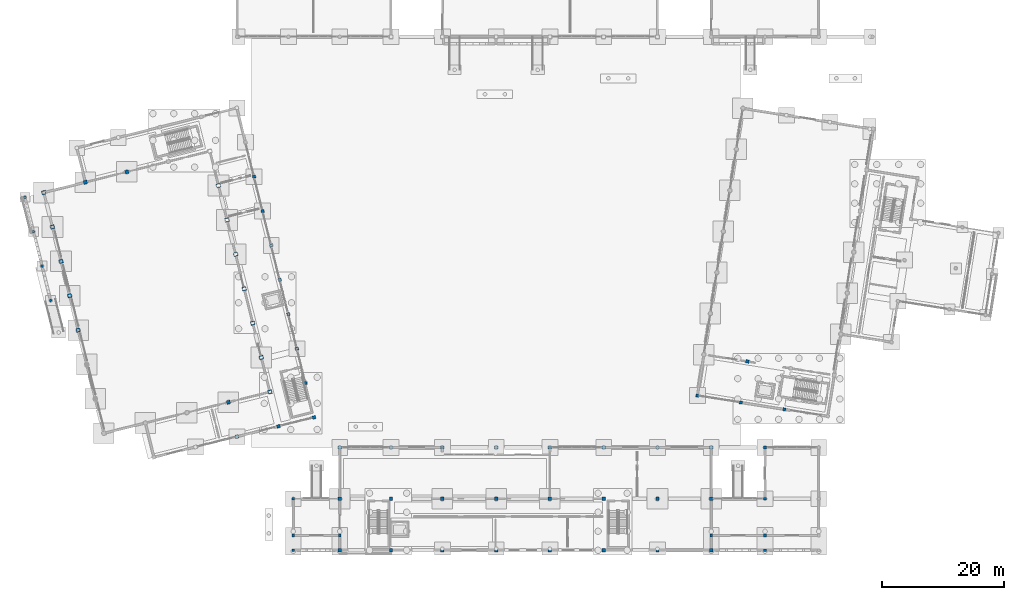
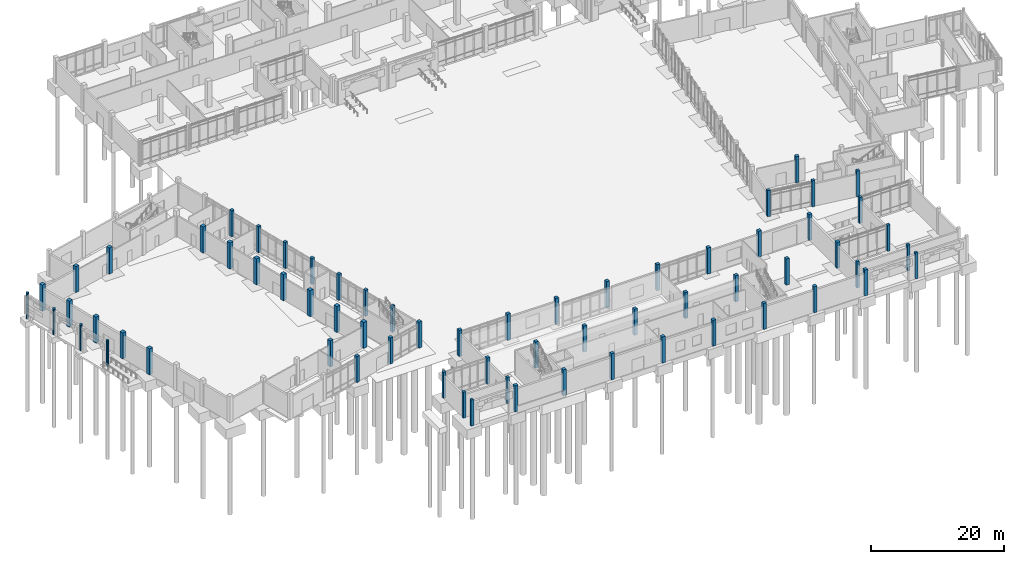
# One storey, part 5 of 72: 66 columns.
"""IFC4 building model written with IfcOpenShell, lengths in metres."""

from ifc_helpers import new_model, si_unit, direction, frame, origin, origin_2d, place, context, subcontext, project, spatial, rectangle, circle, extrude, material, material_profile, profile_set, type_object, element, save


model = new_model("IFC4")

# Units and contexts
model_context = context("Model", 3, precision=1e-05, world=origin(), true_north=direction((0.0, 1.0)))
body_context = subcontext(model_context, "Body", "Model", "MODEL_VIEW")
ifc_project = project(units=[si_unit("LENGTHUNIT", "METRE"), si_unit("AREAUNIT", "SQUARE_METRE"), si_unit("VOLUMEUNIT", "CUBIC_METRE"), si_unit("PLANEANGLEUNIT", "RADIAN"), si_unit("MASSUNIT", "GRAM", prefix="KILO")], contexts=[model_context])

# Site, building, storey
site_placement = place(None, origin())
site = spatial("IfcSite", under=ifc_project, at=site_placement, CompositionType="ELEMENT")
building_placement = place(site_placement, origin())
building = spatial("IfcBuilding", under=site, at=building_placement, Name="Cinderway Yard Community Centre", CompositionType="ELEMENT")
storey_placement = place(building_placement, origin())
storey = spatial("IfcBuildingStorey", under=building, at=storey_placement, Name="L00", CompositionType="ELEMENT", Elevation=0.0)

# Columns
ifc_material = material(Name="Concrete C40/50", Category="concrete")
ifc_material_profile_1 = material_profile(ifc_material, rectangle(XDim=0.449951171875, YDim=0.449951171875, at=origin_2d()), Name="Concrete C40/50")
ifc_profile_set_1 = profile_set([ifc_material_profile_1], Name="Concrete C40/50")
column_type_1 = type_object("IfcColumnType", Name="STR-COL-RC450", PredefinedType="COLUMN", material=ifc_profile_set_1)
for number, where, z_axis, x_axis, name in (
    (1, (50.800048828125, 6.0, 0.0), (0.0, 0.0, 1.0), (1.0, 0.0, 0.0), "Column V5-C-01 L00"),
    (2, (50.800048828125, 8.39990234375, 0.0), (0.0, 0.0, 1.0), (1.0, 0.0, 0.0), "Column V5-C-02 L00"),
    (3, (50.800048828125, 14.39990234375, 0.0), (0.0, 0.0, 1.0), (1.0, 0.0, 0.0), "Column V5-C-03 L00"),
    (4, (58.39990234375, 8.39990234375, 0.0), (0.0, 0.0, 1.0), (1.0, 0.0, 0.0), "Column V5-C-04 L00"),
    (5, (128.0, 6.0, 0.0), (0.0, 0.0, 1.0), (1.0, 0.0, 0.0), "Column V5-C-05 L00"),
    (6, (128.0, 8.39990234375, 0.0), (0.0, 0.0, 1.0), (1.0, 0.0, 0.0), "Column V5-C-06 L00"),
    (7, (128.0, 14.39990234375, 0.0), (0.0, 0.0, 1.0), (1.0, 0.0, 0.0), "Column V5-C-07 L00"),
    (8, (128.0, 22.800048828125, 0.0), (0.0, 0.0, 1.0), (1.0, 0.0, 0.0), "Column V5-C-08 L00"),
    (9, (119.199951171875, 8.39990234375, 0.0), (0.0, 0.0, 1.0), (1.0, 0.0, 0.0), "Column V5-C-13 L00"),
):
    element("IfcColumn", number, at=place(storey_placement, frame(where, z_axis=z_axis, x_axis=x_axis)), inside=storey, type_object=column_type_1, Name=name, PredefinedType="COLUMN", context=body_context, shape_type="SweptSolid", body=[
        extrude(rectangle(XDim=0.449951171875, YDim=0.449951171875, at=origin_2d()), origin(), (0.0, 0.0, 1.0), 4.800048828125),
    ])
ifc_material_profile_2 = material_profile(ifc_material, rectangle(XDim=0.5, YDim=0.5, at=origin_2d()), Name="Concrete C40/50")
ifc_profile_set_2 = profile_set([ifc_material_profile_2], Name="Concrete C40/50")
column_type_2 = type_object("IfcColumnType", Name="STR-COL-RC500", PredefinedType="COLUMN", material=ifc_profile_set_2)
for number, where, z_axis, x_axis, name in (
    (10, (52.799072265625, 33.342041015625, 0.0), (0.0, 0.0, 1.0), (0.970295726276, 0.2419218956, 0.0), "Column V1-C-G01 L00"),
    (11, (51.39599609375, 38.969970703125, 0.0), (0.0, 0.0, 1.0), (0.970295726276, 0.2419218956, 0.0), "Column V1-C-G02 L00"),
    (12, (49.992919921875, 44.597900390625, 0.0), (0.0, 0.0, 1.0), (0.970295726276, 0.2419218956, 0.0), "Column V1-C-G03 L00"),
    (13, (48.590087890625, 50.22509765625, 0.0), (0.0, 0.0, 1.0), (0.970295726276, 0.2419218956, 0.0), "Column V1-C-G04 L00"),
    (14, (47.18701171875, 55.85302734375, 0.0), (0.0, 0.0, 1.0), (0.970295726276, 0.2419218956, 0.0), "Column V1-C-G05 L00"),
    (15, (45.783935546875, 61.48095703125, 0.0), (0.0, 0.0, 1.0), (0.970295726276, 0.2419218956, 0.0), "Column V1-C-G06 L00"),
    (16, (44.381103515625, 67.10791015625, 0.0), (0.0, 0.0, 1.0), (0.970295726276, 0.2419218956, 0.0), "Column V1-C-G07 L00"),
    (17, (116.93603515625, 31.283935546875, 0.0), (0.0, 0.0, 1.0), (0.987688340595, -0.15643446504, 0.0), "Column V2-CS-000 L00"),
    (18, (124.048095703125, 30.156982421875, 0.0), (0.0, 0.0, 1.0), (0.987688340595, -0.15643446504, 0.0), "Column V2-CS-072 L00"),
    (19, (131.158935546875, 29.031005859375, 0.0), (0.0, 0.0, 1.0), (0.987688340595, -0.15643446504, 0.0), "Column V2-CS-144 L00"),
):
    element("IfcColumn", number, at=place(storey_placement, frame(where, z_axis=z_axis, x_axis=x_axis)), inside=storey, type_object=column_type_2, Name=name, PredefinedType="COLUMN", context=body_context, shape_type="SweptSolid", body=[
        extrude(rectangle(XDim=0.5, YDim=0.5, at=origin_2d()), origin(), (0.0, 0.0, 1.0), 4.800048828125),
    ])
ifc_material_profile_3 = material_profile(ifc_material, rectangle(XDim=0.550048828125, YDim=0.550048828125, at=origin_2d()), Name="Concrete C40/50")
ifc_profile_set_3 = profile_set([ifc_material_profile_3], Name="Concrete C40/50")
column_type_3 = type_object("IfcColumnType", Name="STR-COL-RC550", PredefinedType="COLUMN", material=ifc_profile_set_3)
for number, where, z_axis, x_axis, name in (
    (20, (41.589111328125, 24.569091796875, 0.0), (0.0, 0.0, 1.0), (0.970295726276, 0.2419218956, 0.0), "Column V1-CS-21 L00"),
    (21, (48.381103515625, 26.262939453125, 0.0), (0.0, 0.0, 1.0), (0.970295726276, 0.2419218956, 0.0), "Column V1-CS-28 L00"),
    (22, (54.202880859375, 27.714111328125, 0.0), (0.0, 0.0, 1.0), (0.970295726276, 0.2419218956, 0.0), "Column V1-CS-34 L00"),
    (23, (125.111083984375, 36.8740234375, 0.0), (0.0, 0.0, 1.0), (0.987688340595, -0.15643446504, 0.0), "Column V2-GS-072 L00"),
    (24, (58.39990234375, 6.0, 0.0), (0.0, 0.0, 1.0), (1.0, 0.0, 0.0), "Column V3-C-01-1 L00"),
    (25, (58.39990234375, 14.39990234375, 0.0), (0.0, 0.0, 1.0), (1.0, 0.0, 0.0), "Column V3-C-01-2 L00"),
    (26, (58.39990234375, 22.800048828125, 0.0), (0.0, 0.0, 1.0), (1.0, 0.0, 0.0), "Column V3-C-01-3 L00"),
    (27, (66.800048828125, 6.0, 0.0), (0.0, 0.0, 1.0), (1.0, 0.0, 0.0), "Column V3-C-02-1 L00"),
    (28, (66.800048828125, 14.39990234375, 0.0), (0.0, 0.0, 1.0), (1.0, 0.0, 0.0), "Column V3-C-02-2 L00"),
    (29, (66.800048828125, 22.800048828125, 0.0), (0.0, 0.0, 1.0), (1.0, 0.0, 0.0), "Column V3-C-02-3 L00"),
    (30, (75.199951171875, 6.0, 0.0), (0.0, 0.0, 1.0), (1.0, 0.0, 0.0), "Column V3-C-03-1 L00"),
    (31, (75.199951171875, 14.39990234375, 0.0), (0.0, 0.0, 1.0), (1.0, 0.0, 0.0), "Column V3-C-03-2 L00"),
    (32, (75.199951171875, 22.800048828125, 0.0), (0.0, 0.0, 1.0), (1.0, 0.0, 0.0), "Column V3-C-03-3 L00"),
    (33, (84.0, 6.0, 0.0), (0.0, 0.0, 1.0), (1.0, 0.0, 0.0), "Column V3-C-04-1 L00"),
    (34, (84.0, 14.39990234375, 0.0), (0.0, 0.0, 1.0), (1.0, 0.0, 0.0), "Column V3-C-04-2 L00"),
    (35, (84.0, 22.800048828125, 0.0), (0.0, 0.0, 1.0), (1.0, 0.0, 0.0), "Column V3-C-04-3 L00"),
    (36, (92.800048828125, 6.0, 0.0), (0.0, 0.0, 1.0), (1.0, 0.0, 0.0), "Column V3-C-05-1 L00"),
    (37, (92.800048828125, 14.39990234375, 0.0), (0.0, 0.0, 1.0), (1.0, 0.0, 0.0), "Column V3-C-05-2 L00"),
    (38, (92.800048828125, 22.800048828125, 0.0), (0.0, 0.0, 1.0), (1.0, 0.0, 0.0), "Column V3-C-05-3 L00"),
    (39, (101.60009765625, 6.0, 0.0), (0.0, 0.0, 1.0), (1.0, 0.0, 0.0), "Column V3-C-06-1 L00"),
    (40, (101.60009765625, 14.39990234375, 0.0), (0.0, 0.0, 1.0), (1.0, 0.0, 0.0), "Column V3-C-06-2 L00"),
    (41, (101.60009765625, 22.800048828125, 0.0), (0.0, 0.0, 1.0), (1.0, 0.0, 0.0), "Column V3-C-06-3 L00"),
    (42, (110.39990234375, 6.0, 0.0), (0.0, 0.0, 1.0), (1.0, 0.0, 0.0), "Column V3-C-07-1 L00"),
    (43, (110.39990234375, 14.39990234375, 0.0), (0.0, 0.0, 1.0), (1.0, 0.0, 0.0), "Column V3-C-07-2 L00"),
    (44, (110.39990234375, 22.800048828125, 0.0), (0.0, 0.0, 1.0), (1.0, 0.0, 0.0), "Column V3-C-07-3 L00"),
    (45, (119.199951171875, 6.0, 0.0), (0.0, 0.0, 1.0), (1.0, 0.0, 0.0), "Column V3-C-08-1 L00"),
    (46, (119.199951171875, 14.39990234375, 0.0), (0.0, 0.0, 1.0), (1.0, 0.0, 0.0), "Column V3-C-08-2 L00"),
    (47, (119.199951171875, 22.800048828125, 0.0), (0.0, 0.0, 1.0), (1.0, 0.0, 0.0), "Column V3-C-08-3 L00"),
):
    element("IfcColumn", number, at=place(storey_placement, frame(where, z_axis=z_axis, x_axis=x_axis)), inside=storey, type_object=column_type_3, Name=name, PredefinedType="COLUMN", context=body_context, shape_type="SweptSolid", body=[
        extrude(rectangle(XDim=0.550048828125, YDim=0.550048828125, at=origin_2d()), origin(), (0.0, 0.0, 1.0), 4.800048828125),
    ])
ifc_material_profile_4 = material_profile(ifc_material, rectangle(XDim=0.60009765625, YDim=0.60009765625, at=origin_2d()), Name="Concrete C40/50")
ifc_profile_set_4 = profile_set([ifc_material_profile_4], Name="Concrete C40/50")
column_type_4 = type_object("IfcColumnType", Name="STR-COL-RC600", PredefinedType="COLUMN", material=ifc_profile_set_4)
for number, where, z_axis, x_axis, name in (
    (48, (40.18603515625, 30.197021484375, 0.0), (0.0, 0.0, 1.0), (0.970295726276, 0.2419218956, 0.0), "Column V1-GS-21 L00"),
    (49, (16.779052734375, 66.2041015625, 0.0), (0.0, 0.0, 1.0), (0.970295726276, 0.2419218956, 0.0), "Column V1-GN-07 L00"),
    (50, (23.572021484375, 67.89794921875, 0.0), (0.0, 0.0, 1.0), (0.970295726276, 0.2419218956, 0.0), "Column V1-GN-14 L00"),
):
    element("IfcColumn", number, at=place(storey_placement, frame(where, z_axis=z_axis, x_axis=x_axis)), inside=storey, type_object=column_type_4, Name=name, PredefinedType="COLUMN", context=body_context, shape_type="SweptSolid", body=[
        extrude(rectangle(XDim=0.60009765625, YDim=0.60009765625, at=origin_2d()), origin(), (0.0, 0.0, 1.0), 4.800048828125),
    ])
ifc_material_profile_5 = material_profile(ifc_material, rectangle(XDim=0.64990234375, YDim=0.64990234375, at=origin_2d()), Name="Concrete C40/50")
ifc_profile_set_5 = profile_set([ifc_material_profile_5], Name="Concrete C40/50")
column_type_5 = type_object("IfcColumnType", Name="STR-COL-RC650", PredefinedType="COLUMN", material=ifc_profile_set_5)
for number, where, z_axis, x_axis, name in (
    (51, (15.60009765625, 42.0, 0.0), (0.0, 0.0, 1.0), (0.970295726276, 0.2419218956, 0.0), "Column V1-C-W04 L00"),
    (52, (14.197021484375, 47.6279296875, 0.0), (0.0, 0.0, 1.0), (0.970295726276, 0.2419218956, 0.0), "Column V1-C-W05 L00"),
    (53, (12.7939453125, 53.2548828125, 0.0), (0.0, 0.0, 1.0), (0.970295726276, 0.2419218956, 0.0), "Column V1-C-W06 L00"),
    (54, (11.39111328125, 58.883056640625, 0.0), (0.0, 0.0, 1.0), (0.970295726276, 0.2419218956, 0.0), "Column V1-C-W07 L00"),
    (55, (9.987060546875, 64.510986328125, 0.0), (0.0, 0.0, 1.0), (0.970295726276, 0.2419218956, 0.0), "Column V1-C-W08 L00"),
    (56, (46.97802734375, 31.89111328125, 0.0), (0.0, 0.0, 1.0), (0.970295726276, 0.2419218956, 0.0), "Column V1-C-E01 L00"),
    (57, (45.574951171875, 37.51806640625, 0.0), (0.0, 0.0, 1.0), (0.970295726276, 0.2419218956, 0.0), "Column V1-C-E02 L00"),
    (58, (44.1708984375, 43.14599609375, 0.0), (0.0, 0.0, 1.0), (0.970295726276, 0.2419218956, 0.0), "Column V1-C-E03 L00"),
    (59, (42.76806640625, 48.77392578125, 0.0), (0.0, 0.0, 1.0), (0.970295726276, 0.2419218956, 0.0), "Column V1-C-E04 L00"),
    (60, (41.364990234375, 54.402099609375, 0.0), (0.0, 0.0, 1.0), (0.970295726276, 0.2419218956, 0.0), "Column V1-C-E05 L00"),
    (61, (39.9619140625, 60.029052734375, 0.0), (0.0, 0.0, 1.0), (0.970295726276, 0.2419218956, 0.0), "Column V1-C-E06 L00"),
    (62, (38.55908203125, 65.656982421875, 0.0), (0.0, 0.0, 1.0), (0.970295726276, 0.2419218956, 0.0), "Column V1-C-E07 L00"),
):
    element("IfcColumn", number, at=place(storey_placement, frame(where, z_axis=z_axis, x_axis=x_axis)), inside=storey, type_object=column_type_5, Name=name, PredefinedType="COLUMN", context=body_context, shape_type="SweptSolid", body=[
        extrude(rectangle(XDim=0.64990234375, YDim=0.64990234375, at=origin_2d()), origin(), (0.0, 0.0, 1.0), 4.800048828125),
    ])
ifc_material_profile_6 = material_profile(ifc_material, circle(Radius=0.22509765625, at=origin_2d()), Name="Concrete C40/50")
ifc_profile_set_6 = profile_set([ifc_material_profile_6], Name="Concrete C40/50")
column_type_6 = type_object("IfcColumnType", Name="STR-COL-RCD450", PredefinedType="PILASTER", material=ifc_profile_set_6)
for number, where, z_axis, x_axis, name in (
    (63, (11.092041015625, 46.85400390625, 0.0), (0.0, 0.0, 1.0), (1.0, 0.0, 0.0), "Column V5-C-14 L00"),
    (64, (9.68896484375, 52.48095703125, 0.0), (0.0, 0.0, 1.0), (1.0, 0.0, 0.0), "Column V5-C-15 L00"),
    (65, (8.285888671875, 58.10888671875, 0.0), (0.0, 0.0, 1.0), (1.0, 0.0, 0.0), "Column V5-C-16 L00"),
    (66, (6.882080078125, 63.737060546875, 0.0), (0.0, 0.0, 1.0), (1.0, 0.0, 0.0), "Column V5-C-17 L00"),
):
    element("IfcColumn", number, at=place(storey_placement, frame(where, z_axis=z_axis, x_axis=x_axis)), inside=storey, type_object=column_type_6, Name=name, PredefinedType="PILASTER", context=body_context, shape_type="SweptSolid", body=[
        extrude(circle(Radius=0.22509765625, at=origin_2d()), origin(), (0.0, 0.0, 1.0), 4.800048828125),
    ])

save(model, "model.ifc")
